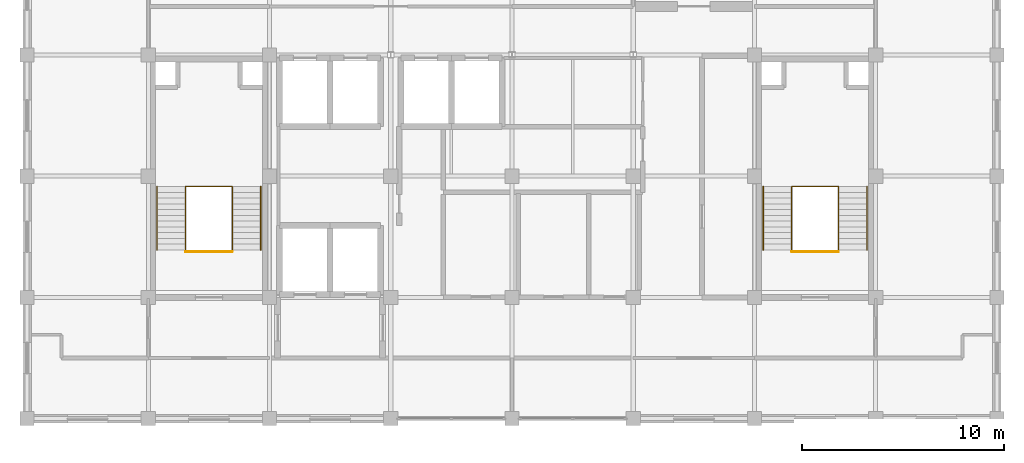
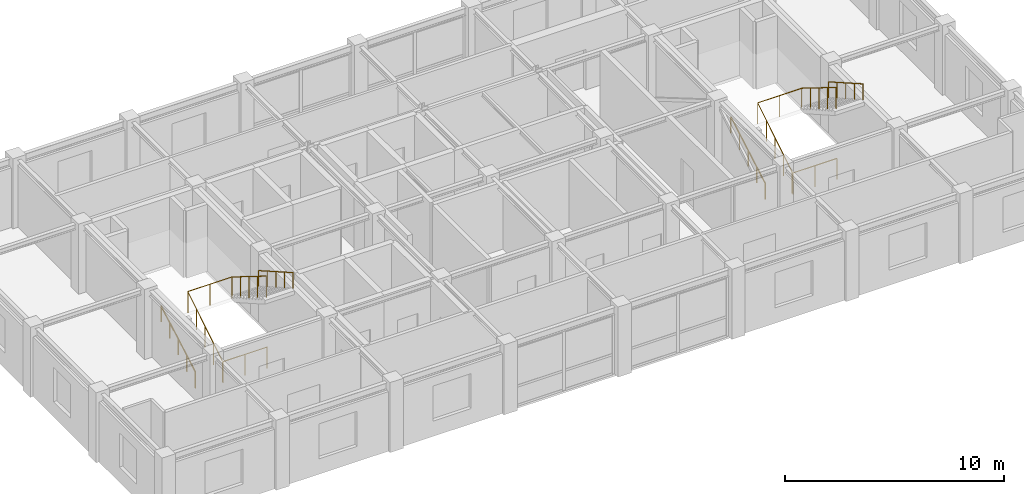
# One storey, part 11 of 11: 8 railings.
"""IFC4 building model written with IfcOpenShell, lengths in metres."""

from ifc_helpers import new_model, si_unit, direction, frame, origin, origin_2d, place, context, subcontext, project, spatial, circle, extrude, material, type_object, element, save


model = new_model("IFC4")

# Units and contexts
model_context = context("Model", 3, precision=1e-05, world=origin(), true_north=direction((0.0, 1.0)))
body_context = subcontext(model_context, "Body", "Model", "MODEL_VIEW")
ifc_project = project(units=[si_unit("LENGTHUNIT", "METRE"), si_unit("AREAUNIT", "SQUARE_METRE"), si_unit("VOLUMEUNIT", "CUBIC_METRE"), si_unit("PLANEANGLEUNIT", "RADIAN"), si_unit("MASSUNIT", "GRAM", prefix="KILO")], contexts=[model_context])

# Site, building, storey
site_placement = place(None, origin())
site = spatial("IfcSite", under=ifc_project, at=site_placement, CompositionType="ELEMENT")
building_placement = place(site_placement, origin())
building = spatial("IfcBuilding", under=site, at=building_placement, Name="Zlatovratsky Civic Hall", CompositionType="ELEMENT")
storey_placement = place(building_placement, frame((0.0, 0.0, 56.10009765625)))
storey = spatial("IfcBuildingStorey", under=building, at=storey_placement, Name="L14", CompositionType="ELEMENT", Elevation=56.10009765625)

# Railings
ifc_material = material(Name="Brushed stainless steel AISI 304", Category="steel")
railing_type_1 = type_object("IfcRailingType", Name="Railing_Guardrail_1200", PredefinedType="GUARDRAIL", material=ifc_material)
railing_1_placement = place(storey_placement, frame((67.840087890625, 86.35009765625, 0.0)))
element("IfcRailing", 1, at=railing_1_placement, inside=storey, type_object=railing_type_1, Name="RL-0556", PredefinedType="GUARDRAIL", context=body_context, shape_type="SweptSolid", body=[
    extrude(circle(Radius=0.02392578125, at=origin_2d()), frame((0.0, 0.0, 1.17578125), z_axis=(0.0, 0.849144259976, 0.528160984692), x_axis=(-1.0, 0.0, 0.0)), (0.0, 0.0, 1.0), 3.69189453125),
    extrude(circle(Radius=0.02392578125, at=origin_2d()), frame((0.0, 3.135009765625, 3.1259765625), z_axis=(1.0, 0.0, 0.0), x_axis=(0.0, 1.0, 0.0)), (0.0, 0.0, 1.0), 2.31982421875),
    extrude(circle(Radius=0.02392578125, at=origin_2d()), frame((2.31982421875, 3.135009765625, 3.1259765625), z_axis=(0.0, -0.849144259976, 0.528160984692), x_axis=(1.0, 0.0, 0.0)), (0.0, 0.0, 1.0), 3.69189453125),
    extrude(circle(Radius=0.02099609375, at=origin_2d()), origin(), (0.0, 0.0, 1.0), 1.15185546875),
    extrude(circle(Radius=0.02099609375, at=origin_2d()), frame((0.0, 0.78369140625, 0.487548828125)), (0.0, 0.0, 1.0), 1.15185546875),
    extrude(circle(Radius=0.02099609375, at=origin_2d()), frame((0.0, 1.5673828125, 0.97509765625)), (0.0, 0.0, 1.0), 1.15185546875),
    extrude(circle(Radius=0.02099609375, at=origin_2d()), frame((0.0, 2.351318359375, 1.46240234375)), (0.0, 0.0, 1.0), 1.15185546875),
    extrude(circle(Radius=0.02099609375, at=origin_2d()), frame((0.0, 3.135009765625, 1.949951171875)), (0.0, 0.0, 1.0), 1.15185546875),
    extrude(circle(Radius=0.02099609375, at=origin_2d()), frame((1.159912109375, 3.135009765625, 1.949951171875)), (0.0, 0.0, 1.0), 1.15185546875),
    extrude(circle(Radius=0.02099609375, at=origin_2d()), frame((2.31982421875, 3.135009765625, 1.949951171875)), (0.0, 0.0, 1.0), 1.15185546875),
    extrude(circle(Radius=0.02099609375, at=origin_2d()), frame((2.31982421875, 2.351318359375, 2.4375)), (0.0, 0.0, 1.0), 1.15185546875),
    extrude(circle(Radius=0.02099609375, at=origin_2d()), frame((2.31982421875, 1.5673828125, 2.9248046875)), (0.0, 0.0, 1.0), 1.15185546875),
    extrude(circle(Radius=0.02099609375, at=origin_2d()), frame((2.31982421875, 0.78369140625, 3.412353515625)), (0.0, 0.0, 1.0), 1.15185546875),
    extrude(circle(Radius=0.02099609375, at=origin_2d()), frame((2.31982421875, 0.0, 3.89990234375)), (0.0, 0.0, 1.0), 1.15185546875),
])
railing_2_placement = place(storey_placement, frame((67.840087890625, 86.27001953125, 0.0)))
element("IfcRailing", 2, at=railing_2_placement, inside=storey, type_object=railing_type_1, Name="RL-0559", PredefinedType="GUARDRAIL", context=body_context, shape_type="SweptSolid", body=[
    extrude(circle(Radius=0.02392578125, at=origin_2d()), frame((0.0, 0.0, 1.17578125), z_axis=(1.0, 0.0, 0.0), x_axis=(0.0, 1.0, 0.0)), (0.0, 0.0, 1.0), 2.31982421875),
    extrude(circle(Radius=0.02099609375, at=origin_2d()), origin(), (0.0, 0.0, 1.0), 1.15185546875),
    extrude(circle(Radius=0.02099609375, at=origin_2d()), frame((1.159912109375, 0.0, 0.0)), (0.0, 0.0, 1.0), 1.15185546875),
    extrude(circle(Radius=0.02099609375, at=origin_2d()), frame((2.31982421875, 0.0, 0.0)), (0.0, 0.0, 1.0), 1.15185546875),
])
railing_3_placement = place(storey_placement, frame((97.840087890625, 86.35009765625, 0.0)))
element("IfcRailing", 3, at=railing_3_placement, inside=storey, type_object=railing_type_1, Name="RL-0632", PredefinedType="GUARDRAIL", context=body_context, shape_type="SweptSolid", body=[
    extrude(circle(Radius=0.02392578125, at=origin_2d()), frame((0.0, 0.0, 1.17578125), z_axis=(0.0, 0.849144259976, 0.528160984692), x_axis=(-1.0, 0.0, 0.0)), (0.0, 0.0, 1.0), 3.69189453125),
    extrude(circle(Radius=0.02392578125, at=origin_2d()), frame((0.0, 3.135009765625, 3.1259765625), z_axis=(1.0, 0.0, 0.0), x_axis=(0.0, 1.0, 0.0)), (0.0, 0.0, 1.0), 2.31982421875),
    extrude(circle(Radius=0.02392578125, at=origin_2d()), frame((2.31982421875, 3.135009765625, 3.1259765625), z_axis=(0.0, -0.849144259976, 0.528160984692), x_axis=(1.0, 0.0, 0.0)), (0.0, 0.0, 1.0), 3.69189453125),
    extrude(circle(Radius=0.02099609375, at=origin_2d()), origin(), (0.0, 0.0, 1.0), 1.15185546875),
    extrude(circle(Radius=0.02099609375, at=origin_2d()), frame((0.0, 0.78369140625, 0.487548828125)), (0.0, 0.0, 1.0), 1.15185546875),
    extrude(circle(Radius=0.02099609375, at=origin_2d()), frame((0.0, 1.5673828125, 0.97509765625)), (0.0, 0.0, 1.0), 1.15185546875),
    extrude(circle(Radius=0.02099609375, at=origin_2d()), frame((0.0, 2.351318359375, 1.46240234375)), (0.0, 0.0, 1.0), 1.15185546875),
    extrude(circle(Radius=0.02099609375, at=origin_2d()), frame((0.0, 3.135009765625, 1.949951171875)), (0.0, 0.0, 1.0), 1.15185546875),
    extrude(circle(Radius=0.02099609375, at=origin_2d()), frame((1.159912109375, 3.135009765625, 1.949951171875)), (0.0, 0.0, 1.0), 1.15185546875),
    extrude(circle(Radius=0.02099609375, at=origin_2d()), frame((2.31982421875, 3.135009765625, 1.949951171875)), (0.0, 0.0, 1.0), 1.15185546875),
    extrude(circle(Radius=0.02099609375, at=origin_2d()), frame((2.31982421875, 2.351318359375, 2.4375)), (0.0, 0.0, 1.0), 1.15185546875),
    extrude(circle(Radius=0.02099609375, at=origin_2d()), frame((2.31982421875, 1.5673828125, 2.9248046875)), (0.0, 0.0, 1.0), 1.15185546875),
    extrude(circle(Radius=0.02099609375, at=origin_2d()), frame((2.31982421875, 0.78369140625, 3.412353515625)), (0.0, 0.0, 1.0), 1.15185546875),
    extrude(circle(Radius=0.02099609375, at=origin_2d()), frame((2.31982421875, 0.0, 3.89990234375)), (0.0, 0.0, 1.0), 1.15185546875),
])
railing_4_placement = place(storey_placement, frame((97.840087890625, 86.27001953125, 0.0)))
element("IfcRailing", 4, at=railing_4_placement, inside=storey, type_object=railing_type_1, Name="RL-0635", PredefinedType="GUARDRAIL", context=body_context, shape_type="SweptSolid", body=[
    extrude(circle(Radius=0.02392578125, at=origin_2d()), frame((0.0, 0.0, 1.17578125), z_axis=(1.0, 0.0, 0.0), x_axis=(0.0, 1.0, 0.0)), (0.0, 0.0, 1.0), 2.31982421875),
    extrude(circle(Radius=0.02099609375, at=origin_2d()), origin(), (0.0, 0.0, 1.0), 1.15185546875),
    extrude(circle(Radius=0.02099609375, at=origin_2d()), frame((1.159912109375, 0.0, 0.0)), (0.0, 0.0, 1.0), 1.15185546875),
    extrude(circle(Radius=0.02099609375, at=origin_2d()), frame((2.31982421875, 0.0, 0.0)), (0.0, 0.0, 1.0), 1.15185546875),
])
railing_type_2 = type_object("IfcRailingType", Name="Railing_Handrail_900", PredefinedType="HANDRAIL", material=ifc_material)
railing_5_placement = place(storey_placement, frame((66.429931640625, 86.35009765625, 0.162841796875)))
element("IfcRailing", 5, at=railing_5_placement, inside=storey, type_object=railing_type_2, Name="RL-0557", PredefinedType="HANDRAIL", context=body_context, shape_type="SweptSolid", body=[
    extrude(circle(Radius=0.02392578125, at=origin_2d()), frame((0.0, 0.0, 0.8759765625), z_axis=(0.0, 0.868758932409, 0.495235214176), x_axis=(-1.0, 0.0, 0.0)), (0.0, 0.0, 1.0), 3.608642578125),
    extrude(circle(Radius=0.02099609375, at=origin_2d()), origin(), (0.0, 0.0, 1.0), 0.851806640625),
    extrude(circle(Radius=0.02099609375, at=origin_2d()), frame((0.0, 0.78369140625, 0.44677734375)), (0.0, 0.0, 1.0), 0.851806640625),
    extrude(circle(Radius=0.02099609375, at=origin_2d()), frame((0.0, 1.5673828125, 0.8935546875)), (0.0, 0.0, 1.0), 0.851806640625),
    extrude(circle(Radius=0.02099609375, at=origin_2d()), frame((0.0, 2.351318359375, 1.34033203125)), (0.0, 0.0, 1.0), 0.851806640625),
    extrude(circle(Radius=0.02099609375, at=origin_2d()), frame((0.0, 3.135009765625, 1.787109375)), (0.0, 0.0, 1.0), 0.851806640625),
])
railing_6_placement = place(storey_placement, frame((71.570068359375, 89.485107421875, 2.11181640625)))
element("IfcRailing", 6, at=railing_6_placement, inside=storey, type_object=railing_type_2, Name="RL-0558", PredefinedType="HANDRAIL", context=body_context, shape_type="SweptSolid", body=[
    extrude(circle(Radius=0.02392578125, at=origin_2d()), frame((0.0, 0.0, 0.8759765625), z_axis=(0.0, -0.868642492313, 0.495439421673), x_axis=(1.0, 0.0, 0.0)), (0.0, 0.0, 1.0), 3.609130859375),
    extrude(circle(Radius=0.02099609375, at=origin_2d()), origin(), (0.0, 0.0, 1.0), 0.851806640625),
    extrude(circle(Radius=0.02099609375, at=origin_2d()), frame((0.0, -0.78369140625, 0.447021484375)), (0.0, 0.0, 1.0), 0.851806640625),
    extrude(circle(Radius=0.02099609375, at=origin_2d()), frame((0.0, -1.5673828125, 0.89404296875)), (0.0, 0.0, 1.0), 0.851806640625),
    extrude(circle(Radius=0.02099609375, at=origin_2d()), frame((0.0, -2.351318359375, 1.341064453125)), (0.0, 0.0, 1.0), 0.851806640625),
    extrude(circle(Radius=0.02099609375, at=origin_2d()), frame((0.0, -3.135009765625, 1.7880859375)), (0.0, 0.0, 1.0), 0.851806640625),
])
railing_7_placement = place(storey_placement, frame((96.429931640625, 86.35009765625, 0.162841796875)))
element("IfcRailing", 7, at=railing_7_placement, inside=storey, type_object=railing_type_2, Name="RL-0633", PredefinedType="HANDRAIL", context=body_context, shape_type="SweptSolid", body=[
    extrude(circle(Radius=0.02392578125, at=origin_2d()), frame((0.0, 0.0, 0.8759765625), z_axis=(0.0, 0.868758932409, 0.495235214176), x_axis=(-1.0, 0.0, 0.0)), (0.0, 0.0, 1.0), 3.608642578125),
    extrude(circle(Radius=0.02099609375, at=origin_2d()), origin(), (0.0, 0.0, 1.0), 0.851806640625),
    extrude(circle(Radius=0.02099609375, at=origin_2d()), frame((0.0, 0.78369140625, 0.44677734375)), (0.0, 0.0, 1.0), 0.851806640625),
    extrude(circle(Radius=0.02099609375, at=origin_2d()), frame((0.0, 1.5673828125, 0.8935546875)), (0.0, 0.0, 1.0), 0.851806640625),
    extrude(circle(Radius=0.02099609375, at=origin_2d()), frame((0.0, 2.351318359375, 1.34033203125)), (0.0, 0.0, 1.0), 0.851806640625),
    extrude(circle(Radius=0.02099609375, at=origin_2d()), frame((0.0, 3.135009765625, 1.787109375)), (0.0, 0.0, 1.0), 0.851806640625),
])
railing_8_placement = place(storey_placement, frame((101.570068359375, 89.485107421875, 2.11181640625)))
element("IfcRailing", 8, at=railing_8_placement, inside=storey, type_object=railing_type_2, Name="RL-0634", PredefinedType="HANDRAIL", context=body_context, shape_type="SweptSolid", body=[
    extrude(circle(Radius=0.02392578125, at=origin_2d()), frame((0.0, 0.0, 0.8759765625), z_axis=(0.0, -0.868642492313, 0.495439421673), x_axis=(1.0, 0.0, 0.0)), (0.0, 0.0, 1.0), 3.609130859375),
    extrude(circle(Radius=0.02099609375, at=origin_2d()), origin(), (0.0, 0.0, 1.0), 0.851806640625),
    extrude(circle(Radius=0.02099609375, at=origin_2d()), frame((0.0, -0.78369140625, 0.447021484375)), (0.0, 0.0, 1.0), 0.851806640625),
    extrude(circle(Radius=0.02099609375, at=origin_2d()), frame((0.0, -1.5673828125, 0.89404296875)), (0.0, 0.0, 1.0), 0.851806640625),
    extrude(circle(Radius=0.02099609375, at=origin_2d()), frame((0.0, -2.351318359375, 1.341064453125)), (0.0, 0.0, 1.0), 0.851806640625),
    extrude(circle(Radius=0.02099609375, at=origin_2d()), frame((0.0, -3.135009765625, 1.7880859375)), (0.0, 0.0, 1.0), 0.851806640625),
])

save(model, "model.ifc")
